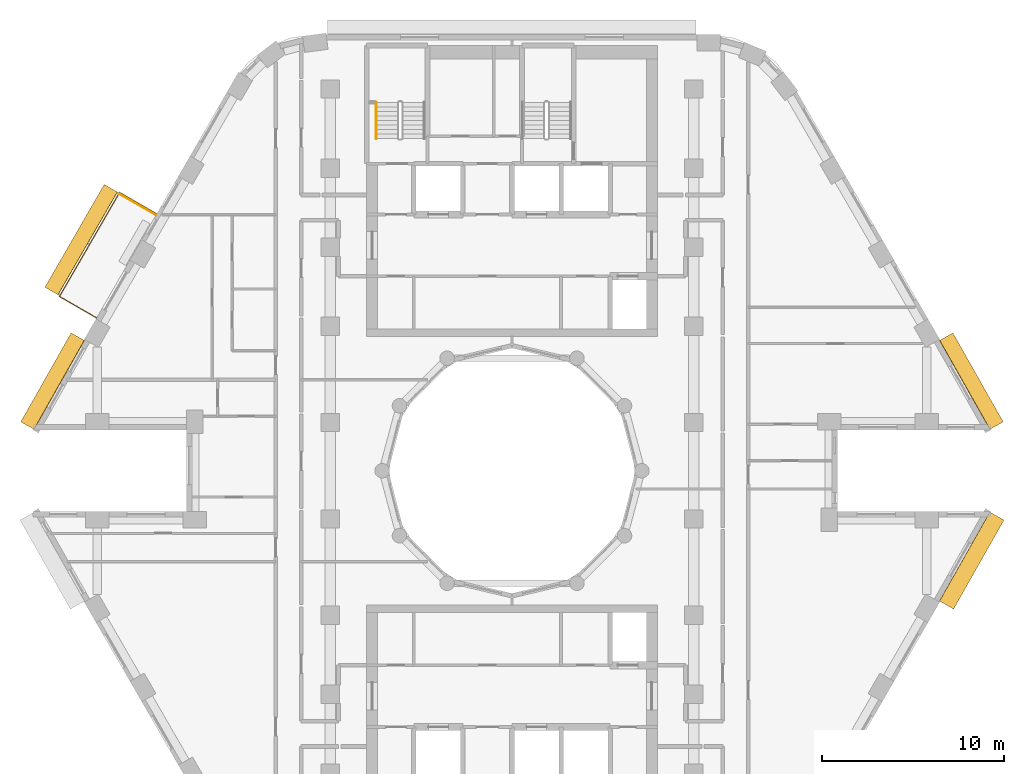
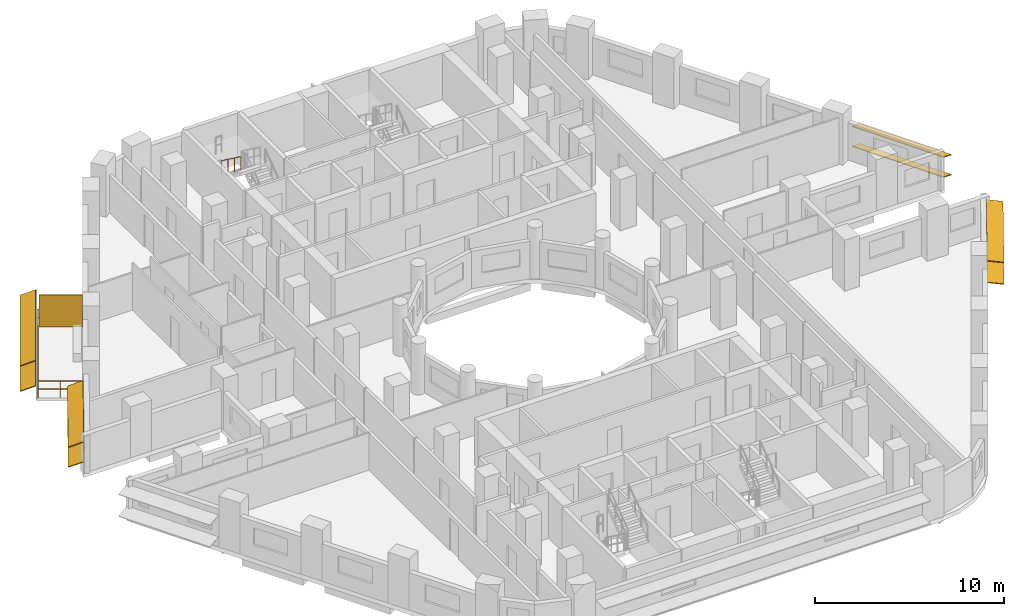
# One storey, part 12 of 13: 9 shading devices, 2 railings.
"""IFC4 building model written with IfcOpenShell, lengths in metres."""

import ifcopenshell
import ifcopenshell.guid

model = None  # the IFC model being written
_history = None  # IfcOwnerHistory: only IFC2X3 demands one
_inside = {}  # id of a spatial element -> (the spatial element, [elements in it])
_under = {}  # id of a project, library or spatial element -> (it, [spatial elements below it])
_declared = {}  # id of a project -> (the project, [libraries it declares])
_typed = {}  # id of a type object -> (the type object, [elements of that type])
_made_of = {}  # id of a material, layer set ... -> (it, [elements and type objects made of it])


def new_model(schema):
    """Start an empty IFC model of exactly this schema.

    Asked for "IFC4X3", IfcOpenShell would pick the latest addendum, in which some entities
    have other attributes; the version numbers below select the first issue.
    IFC2X3 requires an IfcOwnerHistory on every rooted entity: one is made here for all.
    """
    global model, _history
    if schema == "IFC4X3":
        model = ifcopenshell.file(schema_version=(4, 3, 0, 0))
    else:
        model = ifcopenshell.file(schema=schema)
    _inside.clear()
    _under.clear()
    _declared.clear()
    _typed.clear()
    _made_of.clear()
    _history = None
    if model.schema == "IFC2X3":
        org = make("IfcOrganization", Name="unknown")
        user = make(
            "IfcPersonAndOrganization",
            ThePerson=make("IfcPerson", FamilyName="unknown"),
            TheOrganization=org,
        )
        app = make(
            "IfcApplication",
            ApplicationDeveloper=org,
            Version="unknown",
            ApplicationFullName="unknown",
            ApplicationIdentifier="unknown",
        )
        _history = make(
            "IfcOwnerHistory",
            OwningUser=user,
            OwningApplication=app,
            ChangeAction="ADDED",
            CreationDate=0,
        )
    return model


def make(cls, **values):
    """One entity of the class cls with the attributes given. An attribute that is None is left unset."""
    return model.create_entity(
        cls, **{name: value for name, value in values.items() if value is not None}
    )


def rooted(cls, **values):
    """An entity with a GlobalId (a new one), such as an element, a storey or a relation."""
    return make(cls, GlobalId=ifcopenshell.guid.new(), OwnerHistory=_history, **values)


def si_unit(unit_type, name, prefix=None):
    """IfcSIUnit, for example si_unit("LENGTHUNIT", "METRE", prefix="MILLI")."""
    return make("IfcSIUnit", UnitType=unit_type, Prefix=prefix, Name=name)


def assignment(units):
    """IfcUnitAssignment: the units of a project."""
    return None if units is None else make("IfcUnitAssignment", Units=units)


def point(xyz):
    """IfcCartesianPoint."""
    return None if xyz is None else make("IfcCartesianPoint", Coordinates=xyz)


def direction(xyz):
    """IfcDirection."""
    return None if xyz is None else make("IfcDirection", DirectionRatios=xyz)


def frame(location, z_axis=None, x_axis=None):
    """IfcAxis2Placement3D, a coordinate frame: its origin and axes. An axis left out is left unset."""
    return make(
        "IfcAxis2Placement3D",
        Location=point(location),
        Axis=direction(z_axis),
        RefDirection=direction(x_axis),
    )


def frame_2d(location, x_axis=None):
    """IfcAxis2Placement2D, a coordinate frame in the plane: its origin and x axis."""
    return make(
        "IfcAxis2Placement2D", Location=point(location), RefDirection=direction(x_axis)
    )


def origin():
    """The frame at (0, 0, 0) with its axes left unset."""
    return frame((0.0, 0.0, 0.0))


def origin_2d():
    """The frame at (0, 0) in the plane with its x axis left unset."""
    return frame_2d((0.0, 0.0))


def place(relative_to, where):
    """IfcLocalPlacement: puts the frame where relative to a parent placement (None: the world)."""
    return make(
        "IfcLocalPlacement", PlacementRelTo=relative_to, RelativePlacement=where
    )


def context(
    kind, dimensions, precision=None, world=None, true_north=None, identifier=None
):
    """IfcGeometricRepresentationContext, for example the 3D "Model" context."""
    return make(
        "IfcGeometricRepresentationContext",
        ContextIdentifier=identifier,
        ContextType=kind,
        CoordinateSpaceDimension=dimensions,
        Precision=precision,
        WorldCoordinateSystem=world,
        TrueNorth=true_north,
    )


def subcontext(parent, identifier, kind, view, scale=None):
    """IfcGeometricRepresentationSubContext, for example "Body" below "Model"."""
    return make(
        "IfcGeometricRepresentationSubContext",
        ContextIdentifier=identifier,
        ContextType=kind,
        ParentContext=parent,
        TargetScale=scale,
        TargetView=view,
    )


def project(units=None, contexts=None):
    """IfcProject with its units and contexts."""
    return rooted(
        "IfcProject",
        Name="project",
        RepresentationContexts=contexts,
        UnitsInContext=assignment(units),
    )


def spatial(cls, under=None, at=None, **own):
    """A site, building, storey or space (cls), placed at a placement, below another one or the project."""
    s = rooted(cls, ObjectPlacement=at, **own)
    if under is not None:
        _under.setdefault(under.id(), (under, []))[1].append(s)
    return s


def profile(cls, at=None, kind="AREA", **sizes):
    """A parametric profile (cls). Its sizes go by their IFC names, for example OverallWidth=200.0."""
    return make(cls, ProfileType=kind, Position=at, **sizes)


def rectangle(**sizes):
    """IfcRectangleProfileDef."""
    return profile("IfcRectangleProfileDef", **sizes)


def circle(**sizes):
    """IfcCircleProfileDef."""
    return profile("IfcCircleProfileDef", **sizes)


def extrude(swept, where, along, depth):
    """IfcExtrudedAreaSolid: the profile swept, set in the frame where, extruded along a direction by depth."""
    return make(
        "IfcExtrudedAreaSolid",
        SweptArea=swept,
        Position=where,
        ExtrudedDirection=direction(along),
        Depth=depth,
    )


def shape(context_of_items, identifier, shape_type, items):
    """IfcShapeRepresentation: the items that make up one representation, for example the "Body"."""
    return make(
        "IfcShapeRepresentation",
        ContextOfItems=context_of_items,
        RepresentationIdentifier=identifier,
        RepresentationType=shape_type,
        Items=items,
    )


def material(Name=None, Category=None):
    """IfcMaterial."""
    return make("IfcMaterial", Name=Name, Category=Category)


def layer(
    of_material, thickness, ventilated=None, Name=None, Category=None, Priority=None
):
    """IfcMaterialLayer: one layer of a wall or slab, of a material (None: an air gap)."""
    return make(
        "IfcMaterialLayer",
        Material=of_material,
        LayerThickness=thickness,
        IsVentilated=ventilated,
        Name=Name,
        Category=Category,
        Priority=Priority,
    )


def layer_set(layers, Name=None):
    """IfcMaterialLayerSet."""
    return make("IfcMaterialLayerSet", MaterialLayers=layers, LayerSetName=Name)


def material_profile(
    of_material, cross_section, Name=None, Category=None, Priority=None
):
    """IfcMaterialProfile: a cross section and its material."""
    return make(
        "IfcMaterialProfile",
        Name=Name,
        Material=of_material,
        Profile=cross_section,
        Priority=Priority,
        Category=Category,
    )


def profile_set(profiles, Name=None, composite=None):
    """IfcMaterialProfileSet."""
    return make(
        "IfcMaterialProfileSet",
        Name=Name,
        MaterialProfiles=profiles,
        CompositeProfile=composite,
    )


def made_of(thing, what):
    """Note that an element or type object is made of a material, layer set ...; save() writes the relation."""
    if what is not None:
        _made_of.setdefault(what.id(), (what, []))[1].append(thing)
    return thing


def type_object(cls, material=None, **own):
    """A type object (cls), such as IfcWallType, which elements share."""
    return made_of(rooted(cls, **own), material)


def element(
    cls,
    number,
    at=None,
    inside=None,
    cuts=None,
    type_object=None,
    material=None,
    context=None,
    identifier="Body",
    shape_type=None,
    held_by="IfcProductDefinitionShape",
    body=None,
    shapes=None,
    **own,
):
    """One element of the class cls, such as IfcWall. Its Tag is "e" and its number.

    at: its placement. inside: the storey or other place that contains it. cuts: it is an
    opening in that element (IfcRelVoidsElement). A single representation is given by context,
    identifier, shape_type and body (its items); several are given by shapes. held_by: the class
    of the entity that holds the representations. save() writes the other relations.
    """
    e = rooted(cls, Tag="e%d" % number, ObjectPlacement=at, **own)
    if body is not None:
        shapes = [shape(context, identifier, shape_type, body)]
    if shapes is not None:
        e.Representation = make(held_by, Representations=shapes)
    if inside is not None:
        _inside.setdefault(inside.id(), (inside, []))[1].append(e)
    if cuts is not None:
        rooted(
            "IfcRelVoidsElement", RelatingBuildingElement=cuts, RelatedOpeningElement=e
        )
    if type_object is not None:
        _typed.setdefault(type_object.id(), (type_object, []))[1].append(e)
    return made_of(e, material)


def aggregate(whole, parts):
    """IfcRelAggregates: a whole, such as a stair, and the parts it consists of."""
    return rooted("IfcRelAggregates", RelatingObject=whole, RelatedObjects=parts)


def save(model, path):
    """Write the relations noted so far, then the file.

    IfcRelAggregates (storeys below a building ...), IfcRelContainedInSpatialStructure (elements
    in a storey), IfcRelDefinesByType, IfcRelAssociatesMaterial and IfcRelDeclares: one each for
    every whole, place, type object, material and project.
    """
    for whole, parts in _under.values():
        aggregate(whole, parts)
    for where, things in _inside.values():
        rooted(
            "IfcRelContainedInSpatialStructure",
            RelatedElements=things,
            RelatingStructure=where,
        )
    for kind, things in _typed.values():
        rooted("IfcRelDefinesByType", RelatedObjects=things, RelatingType=kind)
    for what, things in _made_of.values():
        rooted("IfcRelAssociatesMaterial", RelatedObjects=things, RelatingMaterial=what)
    for by, libraries in _declared.values():
        rooted("IfcRelDeclares", RelatingContext=by, RelatedDefinitions=libraries)
    model.write(path)


model = new_model("IFC4")

# Units and contexts
model_context = context("Model", 3, precision=1e-05, world=origin(), true_north=direction((0.0, 1.0)))
body_context = subcontext(model_context, "Body", "Model", "MODEL_VIEW")
ifc_project = project(units=[si_unit("LENGTHUNIT", "METRE"), si_unit("AREAUNIT", "SQUARE_METRE"), si_unit("VOLUMEUNIT", "CUBIC_METRE"), si_unit("PLANEANGLEUNIT", "RADIAN"), si_unit("MASSUNIT", "GRAM", prefix="KILO")], contexts=[model_context])

# Site, building, storey
site_placement = place(None, origin())
site = spatial("IfcSite", under=ifc_project, at=site_placement, CompositionType="ELEMENT")
building_placement = place(site_placement, origin())
building = spatial("IfcBuilding", under=site, at=building_placement, Name="Nakaniwa Court", CompositionType="ELEMENT")
storey_placement = place(building_placement, frame((0.0, 0.0, 150.300048828125)))
storey = spatial("IfcBuildingStorey", under=building, at=storey_placement, Name="L39", CompositionType="ELEMENT", Elevation=150.300048828125)

# Railing
ifc_material_1 = material(Name="Black powder-coated steel flat bar balustrade S275", Category="steel")
railing_type_1 = type_object("IfcRailingType", Name="Black metal balcony guard 1100", PredefinedType="GUARDRAIL", material=ifc_material_1)
railing_1_placement = place(storey_placement, frame((60.44677734375, 94.133056640625, -0.050048828125)))
element("IfcRailing", 1, at=railing_1_placement, inside=storey, type_object=railing_type_1, Name="L39 balcony guard 01", PredefinedType="GUARDRAIL", context=body_context, shape_type="SweptSolid", body=[
    extrude(circle(Radius=0.02392578125, at=origin_2d()), frame((0.0, 0.0, 1.076171875), z_axis=(-0.866025363618, 0.50000006957, 0.0), x_axis=(-0.50000006957, -0.866025363618, 0.0)), (0.0, 0.0, 1.0), 2.35986328125),
    extrude(circle(Radius=0.02392578125, at=origin_2d()), frame((0.0, 0.0, 0.550048828125), z_axis=(-0.866025363618, 0.50000006957, 0.0), x_axis=(-0.50000006957, -0.866025363618, 0.0)), (0.0, 0.0, 1.0), 2.35986328125),
    extrude(circle(Radius=0.02392578125, at=origin_2d()), frame((-2.043701171875, 1.179931640625, 1.076171875), z_axis=(-0.500004921708, -0.866022562216, 0.0), x_axis=(0.866022562216, -0.500004921708, 0.0)), (0.0, 0.0, 1.0), 6.60888671875),
    extrude(circle(Radius=0.02392578125, at=origin_2d()), frame((-2.043701171875, 1.179931640625, 0.550048828125), z_axis=(-0.500004921708, -0.866022562216, 0.0), x_axis=(0.866022562216, -0.500004921708, 0.0)), (0.0, 0.0, 1.0), 6.60888671875),
    extrude(circle(Radius=0.02392578125, at=origin_2d()), frame((-5.34814453125, -4.54345703125, 1.076171875), z_axis=(0.866006432019, -0.500032858622, 0.0), x_axis=(0.500032858622, 0.866006432019, 0.0)), (0.0, 0.0, 1.0), 2.360107421875),
    extrude(circle(Radius=0.02392578125, at=origin_2d()), frame((-5.34814453125, -4.54345703125, 0.550048828125), z_axis=(0.866006432019, -0.500032858622, 0.0), x_axis=(0.500032858622, 0.866006432019, 0.0)), (0.0, 0.0, 1.0), 2.360107421875),
    extrude(circle(Radius=0.02099609375, at=origin_2d()), origin(), (0.0, 0.0, 1.0), 1.052001953125),
    extrude(circle(Radius=0.02099609375, at=origin_2d()), frame((-1.02197265625, 0.58984375, 0.0)), (0.0, 0.0, 1.0), 1.052001953125),
    extrude(circle(Radius=0.02099609375, at=origin_2d()), frame((-2.043701171875, 1.179931640625, 0.0)), (0.0, 0.0, 1.0), 1.052001953125),
    extrude(circle(Radius=0.02099609375, at=origin_2d()), frame((-2.594482421875, 0.22607421875, 0.0)), (0.0, 0.0, 1.0), 1.052001953125),
    extrude(circle(Radius=0.02099609375, at=origin_2d()), frame((-3.145263671875, -0.727783203125, 0.0)), (0.0, 0.0, 1.0), 1.052001953125),
    extrude(circle(Radius=0.02099609375, at=origin_2d()), frame((-3.69580078125, -1.681640625, 0.0)), (0.0, 0.0, 1.0), 1.052001953125),
    extrude(circle(Radius=0.02099609375, at=origin_2d()), frame((-4.24658203125, -2.6357421875, 0.0)), (0.0, 0.0, 1.0), 1.052001953125),
    extrude(circle(Radius=0.02099609375, at=origin_2d()), frame((-4.79736328125, -3.589599609375, 0.0)), (0.0, 0.0, 1.0), 1.052001953125),
    extrude(circle(Radius=0.02099609375, at=origin_2d()), frame((-5.34814453125, -4.54345703125, 0.0)), (0.0, 0.0, 1.0), 1.052001953125),
    extrude(circle(Radius=0.02099609375, at=origin_2d()), frame((-4.326171875, -5.133544921875, 0.0)), (0.0, 0.0, 1.0), 1.052001953125),
    extrude(circle(Radius=0.02099609375, at=origin_2d()), frame((-3.30419921875, -5.7236328125, 0.0)), (0.0, 0.0, 1.0), 1.052001953125),
])

# Shading devices
ifc_material_2 = material(Name="Black powder-coated aluminium slat screen", Category="aluminium")
ifc_layer = layer(ifc_material_2, 0.0400390625)
ifc_layer_set = layer_set([ifc_layer], Name="Black powder-coated aluminium slat screen")
shading_device_type_1 = type_object("IfcShadingDeviceType", Name="Koshi screen black metal", PredefinedType="USERDEFINED", material=ifc_layer_set)
shading_device_placement = place(storey_placement, frame((59.406494140625, 94.64111328125, -0.050048828125), z_axis=(0.0, 0.0, 1.0), x_axis=(-0.499975815814, -0.866039366081, 0.0)))
element("IfcShadingDevice", 2, at=shading_device_placement, inside=storey, type_object=shading_device_type_1, Name="L39 balcony SCREEN 01 W", ObjectType="KOSHI SCREEN", PredefinedType="USERDEFINED", context=body_context, shape_type="SweptSolid", body=[
    extrude(rectangle(XDim=0.0400390625, YDim=2.31005859375, at=origin_2d()), origin(), (0.0, 0.0, 1.0), 2.10009765625),
])
ifc_material_3 = material(Name="Perforated charcoal ceramic louvre blade")
ifc_material_profile = material_profile(ifc_material_3, rectangle(XDim=0.89990234375, YDim=0.050048828125, at=origin_2d()), Name="Perforated ceramic louvre blade")
ifc_profile_set = profile_set([ifc_material_profile], Name="Perforated charcoal ceramic louvre blade")
shading_device_type_2 = type_object("IfcShadingDeviceType", Name="Perforated ceramic louvre blade", PredefinedType="JALOUSIE", material=ifc_profile_set)
for number, where, z_axis, x_axis, name in (
    (3, (57.927978515625, 95.541015625, 0.5), (-0.499959831567, -0.866048593798, 0.0), (0.80012456997, -0.461902655462, 0.382683432365), "L39 perforated ceramic louvre blade 01 1"),
    (4, (57.927978515625, 95.541015625, 2.14990234375), (-0.499959831567, -0.866048593798, 0.0), (0.80012456997, -0.461902655462, 0.382683432365), "L39 perforated ceramic louvre blade 01 2"),
):
    element("IfcShadingDevice", number, at=place(storey_placement, frame(where, z_axis=z_axis, x_axis=x_axis)), inside=storey, type_object=shading_device_type_2, Name=name, PredefinedType="JALOUSIE", context=body_context, shape_type="SweptSolid", body=[
        extrude(rectangle(XDim=0.89990234375, YDim=0.050048828125, at=origin_2d()), origin(), (0.0, 0.0, 1.0), 6.52880859375),
    ])
for number, where, z_axis, x_axis, name in (
    (5, (106.662353515625, 82.48046875, 0.550048828125), (-0.49253187421, 0.870294405869, 0.0), (-0.804627241022, -0.455368390728, 0.38107037635), "L39 perforated ceramic louvre blade w02 1"),
    (6, (106.662353515625, 82.48046875, 1.845458984375), (-0.49253187421, 0.870294405869, 0.0), (-0.804627241022, -0.455368390728, 0.38107037635), "L39 perforated ceramic louvre blade w02 2"),
    (7, (56.10888671875, 87.377197265625, 0.550048828125), (-0.49253187421, -0.870294405869, 0.0), (0.804627241022, -0.455368390728, 0.38107037635), "L39 perforated ceramic louvre blade w14 1"),
    (8, (56.10888671875, 87.377197265625, 1.845458984375), (-0.49253187421, -0.870294405869, 0.0), (0.804627241022, -0.455368390728, 0.38107037635), "L39 perforated ceramic louvre blade w14 2"),
    (9, (103.911865234375, 72.611083984375, 0.550048828125), (0.49253187421, 0.870294405869, 0.0), (-0.862649339692, 0.488205247786, 0.132256390257), "L39 perforated ceramic louvre blade w32 1"),
    (10, (103.911865234375, 72.611083984375, 1.95556640625), (0.49253187421, 0.870294405869, 0.0), (-0.862649339692, 0.488205247786, 0.132256390257), "L39 perforated ceramic louvre blade w32 2"),
):
    element("IfcShadingDevice", number, at=place(storey_placement, frame(where, z_axis=z_axis, x_axis=x_axis)), inside=storey, type_object=shading_device_type_2, Name=name, PredefinedType="JALOUSIE", context=body_context, shape_type="SweptSolid", body=[
        extrude(rectangle(XDim=0.89990234375, YDim=0.050048828125, at=origin_2d()), origin(), (0.0, 0.0, 1.0), 5.62646484375),
    ])

# Railing
ifc_material_4 = material(Name="Black powder coated steel handrail", Category="steel")
railing_type_2 = type_object("IfcRailingType", Name="Stair handrail 900", PredefinedType="HANDRAIL", material=ifc_material_4)
railing_2_placement = place(storey_placement, frame((72.52490234375, 100.27490234375, 1.833251953125)))
element("IfcRailing", 11, at=railing_2_placement, inside=storey, type_object=railing_type_2, Name="L39 ST1 stair handrail 2", PredefinedType="HANDRAIL", context=body_context, shape_type="SweptSolid", body=[
    extrude(circle(Radius=0.02392578125, at=origin_2d()), frame((0.0, 0.0, 0.8759765625), z_axis=(0.0, -0.806379959628, 0.591397802423), x_axis=(1.0, 0.0, 0.0)), (0.0, 0.0, 1.0), 2.480224609375),
    extrude(circle(Radius=0.02099609375, at=origin_2d()), origin(), (0.0, 0.0, 1.0), 0.851806640625),
    extrude(circle(Radius=0.02099609375, at=origin_2d()), frame((0.0, -0.666748046875, 0.489013671875)), (0.0, 0.0, 1.0), 0.851806640625),
    extrude(circle(Radius=0.02099609375, at=origin_2d()), frame((0.0, -1.333251953125, 0.977783203125)), (0.0, 0.0, 1.0), 0.851806640625),
    extrude(circle(Radius=0.02099609375, at=origin_2d()), frame((0.0, -2.0, 1.466796875)), (0.0, 0.0, 1.0), 0.851806640625),
])

save(model, "model.ifc")
